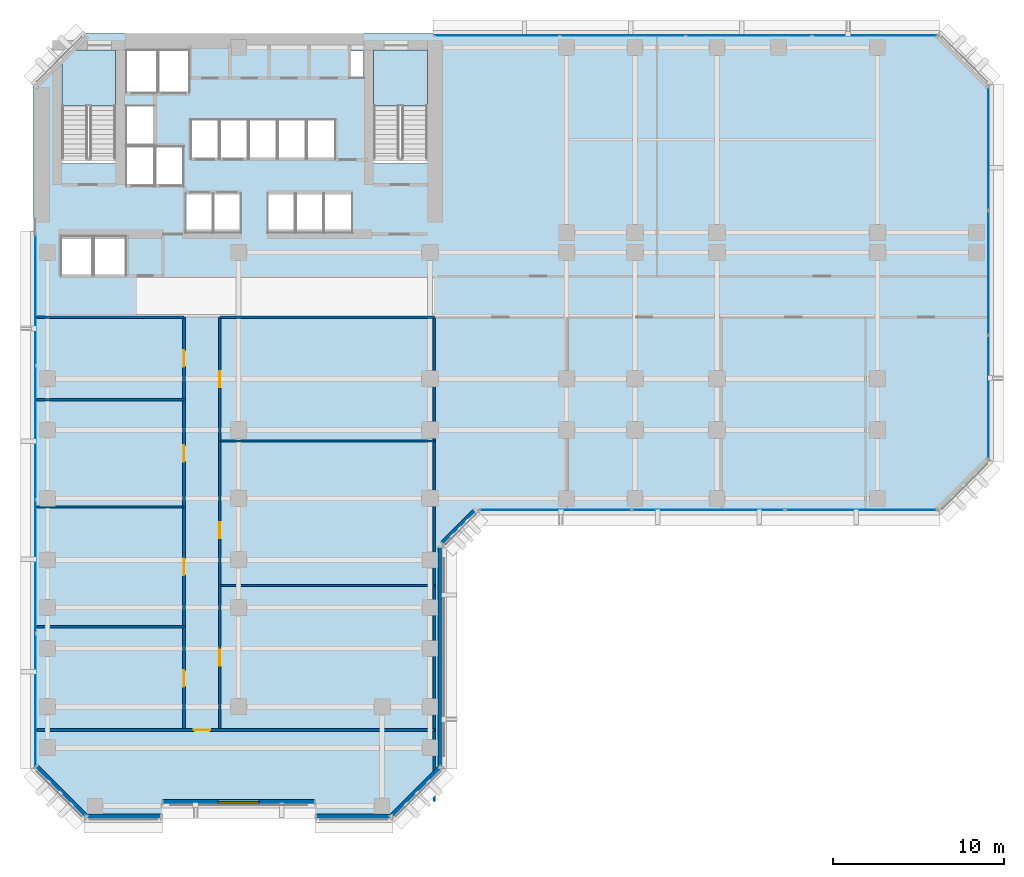
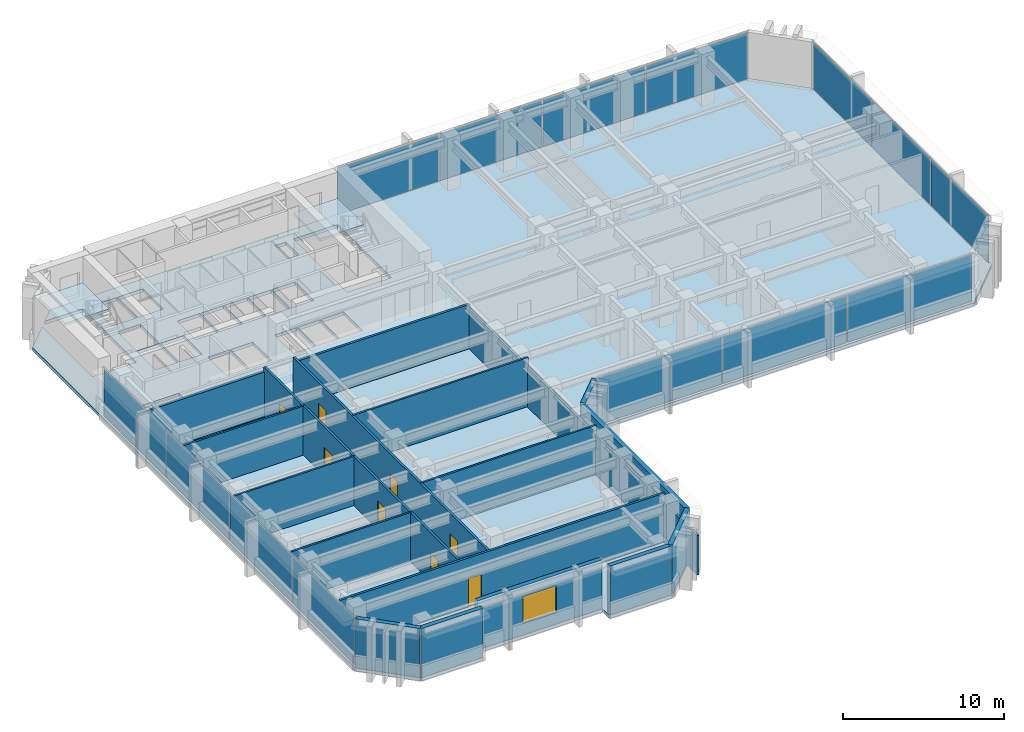
# One storey, part 6 of 14: 18 walls, 14 plates, 8 doors, 3 slabs, 1 window, 9 openings, 6 elements without a shape of their own.
"""IFC4 building model written with IfcOpenShell, lengths in metres."""

from ifc_helpers import new_model, si_unit, direction, frame, frame_2d, origin, origin_2d, place, context, subcontext, project, spatial, polyline, rectangle, outline, extrude, material, layer, layer_set, type_object, element, fill, aggregate, save


model = new_model("IFC4")

# Units and contexts
model_context = context("Model", 3, precision=1e-05, world=origin(), true_north=direction((0.0, 1.0)))
body_context = subcontext(model_context, "Body", "Model", "MODEL_VIEW")
ifc_project = project(units=[si_unit("LENGTHUNIT", "METRE"), si_unit("AREAUNIT", "SQUARE_METRE"), si_unit("VOLUMEUNIT", "CUBIC_METRE"), si_unit("PLANEANGLEUNIT", "RADIAN"), si_unit("MASSUNIT", "GRAM", prefix="KILO")], contexts=[model_context])

# Site, building, storey
site_placement = place(None, origin())
site = spatial("IfcSite", under=ifc_project, at=site_placement, CompositionType="ELEMENT")
building_placement = place(site_placement, origin())
building = spatial("IfcBuilding", under=site, at=building_placement, Name="Kefirva Bronze Tower", CompositionType="ELEMENT")
storey_placement = place(building_placement, frame((0.0, 0.0, 50.159912109375)))
storey = spatial("IfcBuildingStorey", under=building, at=storey_placement, Name="L11", CompositionType="ELEMENT", Elevation=50.159912109375)

# Stair, slab
ifc_material_1 = material(Name="Concrete C40/50", Category="concrete")
stair_type = type_object("IfcStairType", Name="RC Dogleg Protected Stair 24R", PredefinedType="HALF_TURN_STAIR", material=ifc_material_1)
stair_1_placement = place(storey_placement, origin())
stair_1 = element("IfcStair", 1, at=stair_1_placement, inside=storey, type_object=stair_type, Name="L11 Protected Exit Stair 1", PredefinedType="HALF_TURN_STAIR")
ifc_layer_1 = layer(ifc_material_1, 0.199951171875, Name="Concrete C40/50")
ifc_layer_set_1 = layer_set([ifc_layer_1], Name="Concrete C40/50")
slab_type_1 = type_object("IfcSlabType", Name="RC Stair Landing Slab 200mm", PredefinedType="LANDING", material=ifc_layer_set_1)
slab_1_placement = place(storey_placement, frame((0.0, 0.0, 1.780029296875)))
slab_1 = element("IfcSlab", 2, at=slab_1_placement, type_object=slab_type_1, Name="ST-1 landing 1", PredefinedType="LANDING", context=body_context, shape_type="SweptSolid", body=[
    extrude(outline(polyline([(4.800048828125, 41.780029296875), (4.800048828125, 45.050048828125), (1.64990234375, 45.050048828125), (1.64990234375, 41.780029296875), (4.800048828125, 41.780029296875)])), origin(), (0.0, 0.0, 1.0), 0.199951171875),
])
aggregate(stair_1, [slab_1])

stair_2_placement = place(storey_placement, origin())
stair_2 = element("IfcStair", 3, at=stair_2_placement, inside=storey, type_object=stair_type, Name="L11 Protected Exit Stair 2", PredefinedType="HALF_TURN_STAIR")
slab_2_placement = place(storey_placement, frame((0.0, 0.0, 1.780029296875)))
slab_2 = element("IfcSlab", 4, at=slab_2_placement, type_object=slab_type_1, Name="ST-2 landing 1", PredefinedType="LANDING", context=body_context, shape_type="SweptSolid", body=[
    extrude(outline(polyline([(23.050048828125, 41.780029296875), (23.050048828125, 45.050048828125), (19.89990234375, 45.050048828125), (19.89990234375, 41.780029296875), (23.050048828125, 41.780029296875)])), origin(), (0.0, 0.0, 1.0), 0.199951171875),
])
aggregate(stair_2, [slab_2])

# Slab
ifc_layer_2 = layer(ifc_material_1, 0.25, Name="Concrete C40/50")
ifc_layer_set_2 = layer_set([ifc_layer_2], Name="Concrete C40/50")
slab_type_2 = type_object("IfcSlabType", Name="RC Tower Floor Slab 250mm", PredefinedType="FLOOR", material=ifc_layer_set_2)
slab_3_placement = place(storey_placement, frame((0.0, 0.0, -0.25)))
element("IfcSlab", 5, at=slab_3_placement, inside=storey, type_object=slab_type_2, Name="L11 Structural Floor Slab", PredefinedType="FLOOR", context=body_context, shape_type="SweptSolid", body=[
    extrude(outline(polyline([(0.0, 3.0), (0.0, 43.0), (1.64990234375, 44.64990234375), (1.64990234375, 38.39990234375), (4.800048828125, 38.39990234375), (4.800048828125, 45.050048828125), (2.050048828125, 45.050048828125), (3.0, 46.0), (53.0, 46.0), (56.0, 43.0), (56.0, 21.0), (53.0, 18.0), (26.0, 18.0), (24.0, 16.0), (24.0, 3.0), (21.0, 0.0), (16.5, 0.0), (16.5, 0.85009765625), (7.5, 0.85009765625), (7.5, 0.0), (3.0, 0.0), (0.0, 3.0)]), holes=[polyline([(19.89990234375, 38.39990234375), (23.050048828125, 38.39990234375), (23.050048828125, 45.050048828125), (19.89990234375, 45.050048828125), (19.89990234375, 38.39990234375)]), polyline([(18.52001953125, 43.419921875), (19.320068359375, 43.419921875), (19.320068359375, 45.0), (18.52001953125, 45.0), (18.52001953125, 43.419921875)]), polyline([(17.0, 34.35009765625), (18.64990234375, 34.35009765625), (18.64990234375, 36.64990234375), (17.0, 36.64990234375), (17.0, 34.35009765625)]), polyline([(17.64990234375, 38.679931640625), (17.64990234375, 40.97998046875), (16.0, 40.97998046875), (16.0, 38.679931640625), (17.64990234375, 38.679931640625)]), polyline([(16.949951171875, 34.35009765625), (16.949951171875, 36.64990234375), (15.35009765625, 36.64990234375), (15.35009765625, 34.35009765625), (16.949951171875, 34.35009765625)]), polyline([(15.929931640625, 38.679931640625), (15.929931640625, 40.97998046875), (14.300048828125, 40.97998046875), (14.300048828125, 38.679931640625), (15.929931640625, 38.679931640625)]), polyline([(15.300048828125, 34.35009765625), (15.300048828125, 36.64990234375), (13.699951171875, 36.64990234375), (13.699951171875, 34.35009765625), (15.300048828125, 34.35009765625)]), polyline([(14.22998046875, 38.679931640625), (14.22998046875, 40.97998046875), (12.60009765625, 40.97998046875), (12.60009765625, 38.679931640625), (14.22998046875, 38.679931640625)]), polyline([(10.89990234375, 38.679931640625), (12.530029296875, 38.679931640625), (12.530029296875, 40.97998046875), (10.89990234375, 40.97998046875), (10.89990234375, 38.679931640625)]), polyline([(12.139892578125, 34.35009765625), (12.139892578125, 36.64990234375), (10.5400390625, 36.64990234375), (10.5400390625, 34.35009765625), (12.139892578125, 34.35009765625)]), polyline([(10.830078125, 38.679931640625), (10.830078125, 40.97998046875), (9.199951171875, 40.97998046875), (9.199951171875, 38.679931640625), (10.830078125, 38.679931640625)]), polyline([(10.5, 34.35009765625), (10.5, 36.64990234375), (8.89990234375, 36.64990234375), (8.89990234375, 34.35009765625), (10.5, 34.35009765625)]), polyline([(7.300048828125, 42.550048828125), (9.1201171875, 42.550048828125), (9.1201171875, 45.050048828125), (7.300048828125, 45.050048828125), (7.300048828125, 42.550048828125)]), polyline([(7.139892578125, 37.10009765625), (8.780029296875, 37.10009765625), (8.780029296875, 39.39990234375), (7.139892578125, 39.39990234375), (7.139892578125, 37.10009765625)]), polyline([(5.419921875, 42.550048828125), (7.239990234375, 42.550048828125), (7.239990234375, 45.050048828125), (5.419921875, 45.050048828125), (5.419921875, 42.550048828125)]), polyline([(7.06005859375, 39.47998046875), (7.06005859375, 41.780029296875), (5.419921875, 41.780029296875), (5.419921875, 39.47998046875), (7.06005859375, 39.47998046875)]), polyline([(5.419921875, 37.10009765625), (7.06005859375, 37.10009765625), (7.06005859375, 39.39990234375), (5.419921875, 39.39990234375), (5.419921875, 37.10009765625)]), polyline([(5.39990234375, 31.85009765625), (5.39990234375, 34.14990234375), (3.550048828125, 34.14990234375), (3.550048828125, 31.85009765625), (5.39990234375, 31.85009765625)]), polyline([(3.449951171875, 31.85009765625), (3.449951171875, 34.14990234375), (1.60009765625, 34.14990234375), (1.60009765625, 31.85009765625), (3.449951171875, 31.85009765625)])]), origin(), (0.0, 0.0, 1.0), 0.25),
])

# Curtain wall, plates
ifc_material_2 = material(Name="Bronze anodised aluminium", Category="aluminium")
ifc_layer_3 = layer(ifc_material_2, 0.199951171875, Name="Bronze anodised aluminium")
ifc_layer_set_3 = layer_set([ifc_layer_3], Name="Bronze anodised aluminium")
curtain_wall_type = type_object("IfcCurtainWallType", Name="Unitised Bronze Ribbon Curtain Wall Zone 1", PredefinedType="USERDEFINED", material=ifc_layer_set_3)
curtain_wall_1_placement = place(storey_placement, origin())
curtain_wall_1 = element("IfcCurtainWall", 6, at=curtain_wall_1_placement, inside=storey, type_object=curtain_wall_type, Name="L11 Curtain Wall 1", ObjectType="UNITISED CURTAIN WALL", PredefinedType="USERDEFINED")
ifc_material_3 = material(Name="Laminated low-E double glazing", Category="glass")
ifc_layer_4 = layer(ifc_material_3, 0.031982421875, Name="Laminated low-E double glazing")
ifc_layer_set_4 = layer_set([ifc_layer_4], Name="Laminated low-E double glazing")
plate_type = type_object("IfcPlateType", Name="Solar-Control Low-E Vision Panel 32mm", PredefinedType="CURTAIN_PANEL", material=ifc_layer_set_4)
plate_1_placement = place(storey_placement, frame((30.555419921875, 18.1201171875, 0.074951171875), z_axis=(0.0, 0.0, 1.0), x_axis=(1.0, 0.0, 0.0)))
plate_1 = element("IfcPlate", 7, at=plate_1_placement, type_object=plate_type, Name="CW-01 panel 1.1", PredefinedType="CURTAIN_PANEL", context=body_context, shape_type="SweptSolid", body=[
    extrude(rectangle(XDim=8.850830078125, YDim=0.031982421875, at=origin_2d()), origin(), (0.0, 0.0, 1.0), 3.56005859375),
])
plate_2_placement = place(storey_placement, frame((39.5, 18.1201171875, 0.074951171875), z_axis=(0.0, 0.0, 1.0), x_axis=(1.0, 0.0, 0.0)))
plate_2 = element("IfcPlate", 8, at=plate_2_placement, type_object=plate_type, Name="CW-01 panel 2.1", PredefinedType="CURTAIN_PANEL", context=body_context, shape_type="SweptSolid", body=[
    extrude(rectangle(XDim=8.888427734375, YDim=0.031982421875, at=origin_2d()), origin(), (0.0, 0.0, 1.0), 3.56005859375),
])
plate_3_placement = place(storey_placement, frame((48.444580078125, 18.1201171875, 0.074951171875), z_axis=(0.0, 0.0, 1.0), x_axis=(1.0, 0.0, 0.0)))
plate_3 = element("IfcPlate", 9, at=plate_3_placement, type_object=plate_type, Name="CW-01 panel 3.1", PredefinedType="CURTAIN_PANEL", context=body_context, shape_type="SweptSolid", body=[
    extrude(rectangle(XDim=8.850830078125, YDim=0.031982421875, at=origin_2d()), origin(), (0.0, 0.0, 1.0), 3.56005859375),
])
aggregate(curtain_wall_1, [plate_1, plate_2, plate_3])

curtain_wall_2_placement = place(storey_placement, origin())
curtain_wall_2 = element("IfcCurtainWall", 10, at=curtain_wall_2_placement, inside=storey, type_object=curtain_wall_type, Name="L11 Curtain Wall 2", ObjectType="UNITISED CURTAIN WALL", PredefinedType="USERDEFINED")
plate_4_placement = place(storey_placement, frame((55.8798828125, 24.72216796875, 0.074951171875), z_axis=(0.0, 0.0, 1.0), x_axis=(0.0, 1.0, 0.0)))
plate_4 = element("IfcPlate", 11, at=plate_4_placement, type_object=plate_type, Name="CW-01 panel 1.1", PredefinedType="CURTAIN_PANEL", context=body_context, shape_type="SweptSolid", body=[
    extrude(rectangle(XDim=7.18408203125, YDim=0.031982421875, at=origin_2d()), origin(), (0.0, 0.0, 1.0), 3.56005859375),
])
plate_5_placement = place(storey_placement, frame((55.8798828125, 32.0, 0.074951171875), z_axis=(0.0, 0.0, 1.0), x_axis=(0.0, 1.0, 0.0)))
plate_5 = element("IfcPlate", 12, at=plate_5_placement, type_object=plate_type, Name="CW-01 panel 2.1", PredefinedType="CURTAIN_PANEL", context=body_context, shape_type="SweptSolid", body=[
    extrude(rectangle(XDim=7.2216796875, YDim=0.031982421875, at=origin_2d()), origin(), (0.0, 0.0, 1.0), 3.56005859375),
])
plate_6_placement = place(storey_placement, frame((55.8798828125, 39.27783203125, 0.074951171875), z_axis=(0.0, 0.0, 1.0), x_axis=(0.0, 1.0, 0.0)))
plate_6 = element("IfcPlate", 13, at=plate_6_placement, type_object=plate_type, Name="CW-01 panel 3.1", PredefinedType="CURTAIN_PANEL", context=body_context, shape_type="SweptSolid", body=[
    extrude(rectangle(XDim=7.18408203125, YDim=0.031982421875, at=origin_2d()), origin(), (0.0, 0.0, 1.0), 3.56005859375),
])
aggregate(curtain_wall_2, [plate_4, plate_5, plate_6])

curtain_wall_3_placement = place(storey_placement, origin())
curtain_wall_3 = element("IfcCurtainWall", 14, at=curtain_wall_3_placement, inside=storey, type_object=curtain_wall_type, Name="L11 Curtain Wall 3", ObjectType="UNITISED CURTAIN WALL", PredefinedType="USERDEFINED")
plate_7_placement = place(storey_placement, frame((49.233642578125, 45.8798828125, 0.074951171875), z_axis=(0.0, 0.0, 1.0), x_axis=(-1.0, 0.0, 0.0)))
plate_7 = element("IfcPlate", 15, at=plate_7_placement, type_object=plate_type, Name="CW-01 panel 1.1", PredefinedType="CURTAIN_PANEL", context=body_context, shape_type="SweptSolid", body=[
    extrude(rectangle(XDim=7.2724609375, YDim=0.031982421875, at=origin_2d()), origin(), (0.0, 0.0, 1.0), 3.56005859375),
])
plate_8_placement = place(storey_placement, frame((41.867431640625, 45.8798828125, 0.074951171875), z_axis=(0.0, 0.0, 1.0), x_axis=(-1.0, 0.0, 0.0)))
plate_8 = element("IfcPlate", 16, at=plate_8_placement, type_object=plate_type, Name="CW-01 panel 2.1", PredefinedType="CURTAIN_PANEL", context=body_context, shape_type="SweptSolid", body=[
    extrude(rectangle(XDim=7.31005859375, YDim=0.031982421875, at=origin_2d()), origin(), (0.0, 0.0, 1.0), 3.56005859375),
])
plate_9_placement = place(storey_placement, frame((34.482421875, 45.8798828125, 0.074951171875), z_axis=(0.0, 0.0, 1.0), x_axis=(-1.0, 0.0, 0.0)))
plate_9 = element("IfcPlate", 17, at=plate_9_placement, type_object=plate_type, Name="CW-01 panel 3.1", PredefinedType="CURTAIN_PANEL", context=body_context, shape_type="SweptSolid", body=[
    extrude(rectangle(XDim=7.31005859375, YDim=0.031982421875, at=origin_2d()), origin(), (0.0, 0.0, 1.0), 3.56005859375),
])
plate_10_placement = place(storey_placement, frame((27.1162109375, 45.8798828125, 0.074951171875), z_axis=(0.0, 0.0, 1.0), x_axis=(-1.0, 0.0, 0.0)))
plate_10 = element("IfcPlate", 18, at=plate_10_placement, type_object=plate_type, Name="CW-01 panel 4.1", PredefinedType="CURTAIN_PANEL", context=body_context, shape_type="SweptSolid", body=[
    extrude(rectangle(XDim=7.2724609375, YDim=0.031982421875, at=origin_2d()), origin(), (0.0, 0.0, 1.0), 3.56005859375),
])
aggregate(curtain_wall_3, [plate_7, plate_8, plate_9, plate_10])

curtain_wall_4_placement = place(storey_placement, origin())
curtain_wall_4 = element("IfcCurtainWall", 19, at=curtain_wall_4_placement, inside=storey, type_object=curtain_wall_type, Name="L11 Curtain Wall 4", ObjectType="UNITISED CURTAIN WALL", PredefinedType="USERDEFINED")
plate_11_placement = place(storey_placement, frame((0.1201171875, 30.458740234375, 0.074951171875), z_axis=(0.0, 0.0, 1.0), x_axis=(0.0, -1.0, 0.0)))
plate_11 = element("IfcPlate", 20, at=plate_11_placement, type_object=plate_type, Name="CW-01 panel 1.1", PredefinedType="CURTAIN_PANEL", context=body_context, shape_type="SweptSolid", body=[
    extrude(rectangle(XDim=7.722412109375, YDim=0.031982421875, at=origin_2d()), origin(), (0.0, 0.0, 1.0), 3.56005859375),
])
plate_12_placement = place(storey_placement, frame((0.1201171875, 22.642578125, 0.074951171875), z_axis=(0.0, 0.0, 1.0), x_axis=(0.0, -1.0, 0.0)))
plate_12 = element("IfcPlate", 21, at=plate_12_placement, type_object=plate_type, Name="CW-01 panel 2.1", PredefinedType="CURTAIN_PANEL", context=body_context, shape_type="SweptSolid", body=[
    extrude(rectangle(XDim=7.760009765625, YDim=0.031982421875, at=origin_2d()), origin(), (0.0, 0.0, 1.0), 3.56005859375),
])
plate_13_placement = place(storey_placement, frame((0.1201171875, 14.8076171875, 0.074951171875), z_axis=(0.0, 0.0, 1.0), x_axis=(0.0, -1.0, 0.0)))
plate_13 = element("IfcPlate", 22, at=plate_13_placement, type_object=plate_type, Name="CW-01 panel 3.1", PredefinedType="CURTAIN_PANEL", context=body_context, shape_type="SweptSolid", body=[
    extrude(rectangle(XDim=7.760009765625, YDim=0.031982421875, at=origin_2d()), origin(), (0.0, 0.0, 1.0), 3.56005859375),
])
plate_14_placement = place(storey_placement, frame((0.1201171875, 6.9912109375, 0.074951171875), z_axis=(0.0, 0.0, 1.0), x_axis=(0.0, -1.0, 0.0)))
plate_14 = element("IfcPlate", 23, at=plate_14_placement, type_object=plate_type, Name="CW-01 panel 4.1", PredefinedType="CURTAIN_PANEL", context=body_context, shape_type="SweptSolid", body=[
    extrude(rectangle(XDim=7.722412109375, YDim=0.031982421875, at=origin_2d()), origin(), (0.0, 0.0, 1.0), 3.56005859375),
])
aggregate(curtain_wall_4, [plate_11, plate_12, plate_13, plate_14])

# Walls
ifc_material_4 = material(Name="Gypsum acoustic partition")
ifc_layer_5 = layer(ifc_material_4, 0.1298828125, Name="Gypsum acoustic partition")
ifc_layer_set_5 = layer_set([ifc_layer_5], Name="Gypsum acoustic partition")
wall_type_1 = type_object("IfcWallType", Name="Acoustic Office Partition 130mm", PredefinedType="PARTITIONING", material=ifc_layer_set_5)
for number, where, z_axis, x_axis, name in (
    (24, (0.18994140625, 11.280029296875, 0.0), (0.0, 0.0, 1.0), (1.0, 0.0, 0.0), "L11 Partition W-L11-SWD1"),
    (25, (0.18994140625, 18.286376953125, 0.0), (0.0, 0.0, 1.0), (1.0, 0.0, 0.0), "L11 Partition W-L11-SWD2"),
    (26, (0.18994140625, 24.568115234375, 0.0), (0.0, 0.0, 1.0), (1.0, 0.0, 0.0), "L11 Partition W-L11-SWD3"),
):
    element("IfcWall", number, at=place(storey_placement, frame(where, z_axis=z_axis, x_axis=x_axis)), inside=storey, type_object=wall_type_1, Name=name, PredefinedType="PARTITIONING", context=body_context, shape_type="SweptSolid", body=[
        extrude(rectangle(XDim=8.610107421875, YDim=0.1298828125, at=frame_2d((4.30517578125, 0.0))), origin(), (0.0, 0.0, 1.0), 3.710205078125),
    ])
for number, where, z_axis, x_axis, name in (
    (27, (10.89990234375, 13.696044921875, 0.0), (0.0, 0.0, 1.0), (1.0, 0.0, 0.0), "L11 Partition W-L11-SED1"),
    (28, (10.89990234375, 22.152099609375, 0.0), (0.0, 0.0, 1.0), (1.0, 0.0, 0.0), "L11 Partition W-L11-SED2"),
):
    element("IfcWall", number, at=place(storey_placement, frame(where, z_axis=z_axis, x_axis=x_axis)), inside=storey, type_object=wall_type_1, Name=name, PredefinedType="PARTITIONING", context=body_context, shape_type="SweptSolid", body=[
        extrude(rectangle(XDim=12.550048828125, YDim=0.1298828125, at=frame_2d((6.27490234375, 0.0))), origin(), (0.0, 0.0, 1.0), 3.710205078125),
    ])
ifc_material_5 = material(Name="Precast concrete C40/50", Category="concrete")
ifc_layer_6 = layer(ifc_material_5, 0.320068359375, Name="Precast concrete C40/50")
ifc_layer_set_6 = layer_set([ifc_layer_6], Name="Precast concrete C40/50")
wall_type_2 = type_object("IfcWallType", Name="Precast Insulated Exterior Wall 320mm", PredefinedType="SOLIDWALL", material=ifc_layer_set_6)
wall_1_placement = place(storey_placement, frame((3.054931640625, 0.159912109375, 0.0), z_axis=(0.0, 0.0, 1.0), x_axis=(1.0, 0.0, 0.0)))
element("IfcWall", 29, at=wall_1_placement, inside=storey, type_object=wall_type_2, Name="L11 Exterior Facade Wall 1", PredefinedType="SOLIDWALL", context=body_context, shape_type="SweptSolid", body=[
    extrude(rectangle(XDim=4.39013671875, YDim=0.320068359375, at=frame_2d((2.195068359375, 0.0))), origin(), (0.0, 0.0, 1.0), 3.710205078125),
])

# Wall, opening, window
wall_2_placement = place(storey_placement, frame((7.554931640625, 1.010009765625, 0.0), z_axis=(0.0, 0.0, 1.0), x_axis=(1.0, 0.0, 0.0)))
wall_2 = element("IfcWall", 30, at=wall_2_placement, inside=storey, type_object=wall_type_2, Name="L11 Exterior Facade Wall 2", PredefinedType="SOLIDWALL", context=body_context, shape_type="SweptSolid", body=[
    extrude(rectangle(XDim=8.89013671875, YDim=0.320068359375, at=frame_2d((4.445068359375, 0.0))), origin(), (0.0, 0.0, 1.0), 3.710205078125),
])
opening_1_placement = place(wall_2_placement, frame((3.2451171875, 0.0, 0.85009765625)))
opening_1 = element("IfcOpeningElement", 31, at=opening_1_placement, cuts=wall_2, Name="Opening WN-01", PredefinedType="OPENING", context=body_context, shape_type="SweptSolid", body=[
    extrude(rectangle(XDim=2.39990234375, YDim=2.050048828125, at=frame_2d((1.199951171875, 1.02490234375))), frame((0.0, 0.169921875, 0.0), z_axis=(0.0, -1.0, 0.0), x_axis=(1.0, 0.0, 0.0)), (0.0, 0.0, 1.0), 0.340087890625),
])
window_type = type_object("IfcWindowType", Name="Streamline Ribbon Window 2400x2050", PartitioningType="SINGLE_PANEL", PredefinedType="WINDOW", material=ifc_material_3)
window_placement = place(opening_1_placement, origin())
window = element("IfcWindow", 32, at=window_placement, inside=storey, type_object=window_type, Name="L11 Ribbon Window 2", OverallHeight=2.050048828125, OverallWidth=2.39990234375, PartitioningType="SINGLE_PANEL", PredefinedType="WINDOW", context=body_context, shape_type="SweptSolid", body=[
    extrude(rectangle(XDim=2.39990234375, YDim=2.050048828125, at=frame_2d((1.199951171875, 1.02490234375))), frame((0.0, 0.030029296875, 0.0), z_axis=(0.0, -1.0, 0.0), x_axis=(1.0, 0.0, 0.0)), (0.0, 0.0, 1.0), 0.06005859375),
])
fill(opening_1, window)

# Walls
wall_3_placement = place(storey_placement, frame((16.554931640625, 0.159912109375, 0.0), z_axis=(0.0, 0.0, 1.0), x_axis=(1.0, 0.0, 0.0)))
element("IfcWall", 33, at=wall_3_placement, inside=storey, type_object=wall_type_2, Name="L11 Exterior Facade Wall 3", PredefinedType="SOLIDWALL", context=body_context, shape_type="SweptSolid", body=[
    extrude(rectangle(XDim=4.39013671875, YDim=0.320068359375, at=frame_2d((2.195068359375, 0.0))), origin(), (0.0, 0.0, 1.0), 3.710205078125),
])
wall_4_placement = place(storey_placement, frame((20.92578125, 0.152099609375, 0.0), z_axis=(0.0, 0.0, 1.0), x_axis=(0.707106781187, 0.707106781187, 0.0)))
element("IfcWall", 34, at=wall_4_placement, inside=storey, type_object=wall_type_2, Name="L11 Exterior Facade Wall 4", PredefinedType="SOLIDWALL", context=body_context, shape_type="SweptSolid", body=[
    extrude(rectangle(XDim=4.132568359375, YDim=0.320068359375, at=frame_2d((2.06640625, 0.0))), origin(), (0.0, 0.0, 1.0), 3.710205078125),
])
wall_5_placement = place(storey_placement, frame((23.840087890625, 3.054931640625, 0.0), z_axis=(0.0, 0.0, 1.0), x_axis=(0.0, 1.0, 0.0)))
element("IfcWall", 35, at=wall_5_placement, inside=storey, type_object=wall_type_2, Name="L11 Exterior Facade Wall 5", PredefinedType="SOLIDWALL", context=body_context, shape_type="SweptSolid", body=[
    extrude(rectangle(XDim=12.89013671875, YDim=0.320068359375, at=frame_2d((6.445068359375, 0.0))), origin(), (0.0, 0.0, 1.0), 3.710205078125),
])
wall_6_placement = place(storey_placement, frame((23.92578125, 16.152099609375, 0.0), z_axis=(0.0, 0.0, 1.0), x_axis=(0.707106781187, 0.707106781187, 0.0)))
element("IfcWall", 36, at=wall_6_placement, inside=storey, type_object=wall_type_2, Name="L11 Exterior Facade Wall 6", PredefinedType="SOLIDWALL", context=body_context, shape_type="SweptSolid", body=[
    extrude(rectangle(XDim=2.71826171875, YDim=0.320068359375, at=frame_2d((1.359130859375, 0.0))), origin(), (0.0, 0.0, 1.0), 3.710205078125),
])
wall_7_placement = place(storey_placement, frame((0.152099609375, 3.07421875, 0.0), z_axis=(0.0, 0.0, 1.0), x_axis=(0.707106781187, -0.707106781187, 0.0)))
element("IfcWall", 37, at=wall_7_placement, inside=storey, type_object=wall_type_2, Name="L11 Exterior Facade Wall 10", PredefinedType="SOLIDWALL", context=body_context, shape_type="SweptSolid", body=[
    extrude(rectangle(XDim=4.132568359375, YDim=0.320068359375, at=frame_2d((2.06640625, 0.0))), origin(), (0.0, 0.0, 1.0), 3.710205078125),
])

# Wall, openings, doors
ifc_layer_7 = layer(ifc_material_4, 0.159912109375, Name="Gypsum acoustic partition")
ifc_layer_set_7 = layer_set([ifc_layer_7], Name="Gypsum acoustic partition")
wall_type_3 = type_object("IfcWallType", Name="Protected Corridor Partition 160mm", PredefinedType="PARTITIONING", material=ifc_layer_set_7)
wall_8_placement = place(storey_placement, frame((8.800048828125, 5.239990234375, 0.0), z_axis=(0.0, 0.0, 1.0), x_axis=(0.0, 1.0, 0.0)))
wall_8 = element("IfcWall", 38, at=wall_8_placement, inside=storey, type_object=wall_type_3, Name="L11 Partition W-L11-SWCORW", PredefinedType="PARTITIONING", context=body_context, shape_type="SweptSolid", body=[
    extrude(rectangle(XDim=24.159912109375, YDim=0.159912109375, at=frame_2d((12.080078125, 0.0))), origin(), (0.0, 0.0, 1.0), 3.710205078125),
])
opening_2_placement = place(wall_8_placement, frame((3.494873046875, 0.0, 0.0), z_axis=(0.0, 0.0, 1.0), x_axis=(-1.0, 0.0, 0.0)))
opening_2 = element("IfcOpeningElement", 39, at=opening_2_placement, cuts=wall_8, Name="Opening L11-D-SW1", PredefinedType="OPENING", context=body_context, shape_type="SweptSolid", body=[
    extrude(rectangle(XDim=0.949951171875, YDim=2.14990234375, at=frame_2d((0.47509765625, 1.074951171875))), frame((0.0, 0.08984375, 0.0), z_axis=(0.0, -1.0, 0.0), x_axis=(1.0, 0.0, 0.0)), (0.0, 0.0, 1.0), 0.179931640625),
])
opening_3_placement = place(wall_8_placement, frame((10.01806640625, 0.0, 0.0), z_axis=(0.0, 0.0, 1.0), x_axis=(-1.0, 0.0, 0.0)))
opening_3 = element("IfcOpeningElement", 40, at=opening_3_placement, cuts=wall_8, Name="Opening L11-D-SW2", PredefinedType="OPENING", context=body_context, shape_type="SweptSolid", body=[
    extrude(rectangle(XDim=0.949951171875, YDim=2.14990234375, at=frame_2d((0.47509765625, 1.074951171875))), frame((0.0, 0.08984375, 0.0), z_axis=(0.0, -1.0, 0.0), x_axis=(1.0, 0.0, 0.0)), (0.0, 0.0, 1.0), 0.179931640625),
])
opening_4_placement = place(wall_8_placement, frame((16.662109375, 0.0, 0.0), z_axis=(0.0, 0.0, 1.0), x_axis=(-1.0, 0.0, 0.0)))
opening_4 = element("IfcOpeningElement", 41, at=opening_4_placement, cuts=wall_8, Name="Opening L11-D-SW3", PredefinedType="OPENING", context=body_context, shape_type="SweptSolid", body=[
    extrude(rectangle(XDim=0.949951171875, YDim=2.14990234375, at=frame_2d((0.47509765625, 1.074951171875))), frame((0.0, 0.08984375, 0.0), z_axis=(0.0, -1.0, 0.0), x_axis=(1.0, 0.0, 0.0)), (0.0, 0.0, 1.0), 0.179931640625),
])
opening_5_placement = place(wall_8_placement, frame((22.218994140625, 0.0, 0.0), z_axis=(0.0, 0.0, 1.0), x_axis=(-1.0, 0.0, 0.0)))
opening_5 = element("IfcOpeningElement", 42, at=opening_5_placement, cuts=wall_8, Name="Opening L11-D-SW4", PredefinedType="OPENING", context=body_context, shape_type="SweptSolid", body=[
    extrude(rectangle(XDim=0.949951171875, YDim=2.14990234375, at=frame_2d((0.47509765625, 1.074951171875))), frame((0.0, 0.08984375, 0.0), z_axis=(0.0, -1.0, 0.0), x_axis=(1.0, 0.0, 0.0)), (0.0, 0.0, 1.0), 0.179931640625),
])
ifc_material_6 = material(Name="Acoustic hardwood oak", Category="wood")
door_type = type_object("IfcDoorType", Name="Office & Meeting Room Door 950x2150", OperationType="NOTDEFINED", PredefinedType="DOOR", material=ifc_material_6)
door_1_placement = place(opening_2_placement, origin())
door_1 = element("IfcDoor", 43, at=door_1_placement, inside=storey, type_object=door_type, Name="Door L11-D-SW1", OperationType="SINGLE_SWING_RIGHT", OverallHeight=2.14990234375, OverallWidth=0.949951171875, PredefinedType="DOOR", context=body_context, shape_type="SweptSolid", body=[
    extrude(rectangle(XDim=0.949951171875, YDim=2.14990234375, at=frame_2d((0.47509765625, 1.074951171875))), frame((0.0, 0.02490234375, 0.0), z_axis=(0.0, -1.0, 0.0), x_axis=(1.0, 0.0, 0.0)), (0.0, 0.0, 1.0), 0.050048828125),
])
fill(opening_2, door_1)
door_2_placement = place(opening_3_placement, origin())
door_2 = element("IfcDoor", 44, at=door_2_placement, inside=storey, type_object=door_type, Name="Door L11-D-SW2", OperationType="SINGLE_SWING_LEFT", OverallHeight=2.14990234375, OverallWidth=0.949951171875, PredefinedType="DOOR", context=body_context, shape_type="SweptSolid", body=[
    extrude(rectangle(XDim=0.949951171875, YDim=2.14990234375, at=frame_2d((0.47509765625, 1.074951171875))), frame((0.0, 0.02490234375, 0.0), z_axis=(0.0, -1.0, 0.0), x_axis=(1.0, 0.0, 0.0)), (0.0, 0.0, 1.0), 0.050048828125),
])
fill(opening_3, door_2)
door_3_placement = place(opening_4_placement, origin())
door_3 = element("IfcDoor", 45, at=door_3_placement, inside=storey, type_object=door_type, Name="Door L11-D-SW3", OperationType="SINGLE_SWING_RIGHT", OverallHeight=2.14990234375, OverallWidth=0.949951171875, PredefinedType="DOOR", context=body_context, shape_type="SweptSolid", body=[
    extrude(rectangle(XDim=0.949951171875, YDim=2.14990234375, at=frame_2d((0.47509765625, 1.074951171875))), frame((0.0, 0.02490234375, 0.0), z_axis=(0.0, -1.0, 0.0), x_axis=(1.0, 0.0, 0.0)), (0.0, 0.0, 1.0), 0.050048828125),
])
fill(opening_4, door_3)
door_4_placement = place(opening_5_placement, origin())
door_4 = element("IfcDoor", 46, at=door_4_placement, inside=storey, type_object=door_type, Name="Door L11-D-SW4", OperationType="SINGLE_SWING_LEFT", OverallHeight=2.14990234375, OverallWidth=0.949951171875, PredefinedType="DOOR", context=body_context, shape_type="SweptSolid", body=[
    extrude(rectangle(XDim=0.949951171875, YDim=2.14990234375, at=frame_2d((0.47509765625, 1.074951171875))), frame((0.0, 0.02490234375, 0.0), z_axis=(0.0, -1.0, 0.0), x_axis=(1.0, 0.0, 0.0)), (0.0, 0.0, 1.0), 0.050048828125),
])
fill(opening_5, door_4)

wall_9_placement = place(storey_placement, frame((10.89990234375, 5.239990234375, 0.0), z_axis=(0.0, 0.0, 1.0), x_axis=(0.0, 1.0, 0.0)))
wall_9 = element("IfcWall", 47, at=wall_9_placement, inside=storey, type_object=wall_type_3, Name="L11 Partition W-L11-SECORE", PredefinedType="PARTITIONING", context=body_context, shape_type="SweptSolid", body=[
    extrude(rectangle(XDim=24.159912109375, YDim=0.159912109375, at=frame_2d((12.080078125, 0.0))), origin(), (0.0, 0.0, 1.0), 3.710205078125),
])
opening_6_placement = place(wall_9_placement, frame((3.7529296875, 0.0, 0.0)))
opening_6 = element("IfcOpeningElement", 48, at=opening_6_placement, cuts=wall_9, Name="Opening L11-D-SE1", PredefinedType="OPENING", context=body_context, shape_type="SweptSolid", body=[
    extrude(rectangle(XDim=0.949951171875, YDim=2.14990234375, at=frame_2d((0.47509765625, 1.074951171875))), frame((0.0, 0.08984375, 0.0), z_axis=(0.0, -1.0, 0.0), x_axis=(1.0, 0.0, 0.0)), (0.0, 0.0, 1.0), 0.179931640625),
])
opening_7_placement = place(wall_9_placement, frame((11.208984375, 0.0, 0.0)))
opening_7 = element("IfcOpeningElement", 49, at=opening_7_placement, cuts=wall_9, Name="Opening L11-D-SE2", PredefinedType="OPENING", context=body_context, shape_type="SweptSolid", body=[
    extrude(rectangle(XDim=0.949951171875, YDim=2.14990234375, at=frame_2d((0.47509765625, 1.074951171875))), frame((0.0, 0.08984375, 0.0), z_axis=(0.0, -1.0, 0.0), x_axis=(1.0, 0.0, 0.0)), (0.0, 0.0, 1.0), 0.179931640625),
])
opening_8_placement = place(wall_9_placement, frame((20.06103515625, 0.0, 0.0)))
opening_8 = element("IfcOpeningElement", 50, at=opening_8_placement, cuts=wall_9, Name="Opening L11-D-SE3", PredefinedType="OPENING", context=body_context, shape_type="SweptSolid", body=[
    extrude(rectangle(XDim=0.949951171875, YDim=2.14990234375, at=frame_2d((0.47509765625, 1.074951171875))), frame((0.0, 0.08984375, 0.0), z_axis=(0.0, -1.0, 0.0), x_axis=(1.0, 0.0, 0.0)), (0.0, 0.0, 1.0), 0.179931640625),
])
door_5_placement = place(opening_6_placement, origin())
door_5 = element("IfcDoor", 51, at=door_5_placement, inside=storey, type_object=door_type, Name="Door L11-D-SE1", OperationType="SINGLE_SWING_RIGHT", OverallHeight=2.14990234375, OverallWidth=0.949951171875, PredefinedType="DOOR", context=body_context, shape_type="SweptSolid", body=[
    extrude(rectangle(XDim=0.949951171875, YDim=2.14990234375, at=frame_2d((0.47509765625, 1.074951171875))), frame((0.0, 0.02490234375, 0.0), z_axis=(0.0, -1.0, 0.0), x_axis=(1.0, 0.0, 0.0)), (0.0, 0.0, 1.0), 0.050048828125),
])
fill(opening_6, door_5)
door_6_placement = place(opening_7_placement, origin())
door_6 = element("IfcDoor", 52, at=door_6_placement, inside=storey, type_object=door_type, Name="Door L11-D-SE2", OperationType="SINGLE_SWING_LEFT", OverallHeight=2.14990234375, OverallWidth=0.949951171875, PredefinedType="DOOR", context=body_context, shape_type="SweptSolid", body=[
    extrude(rectangle(XDim=0.949951171875, YDim=2.14990234375, at=frame_2d((0.47509765625, 1.074951171875))), frame((0.0, 0.02490234375, 0.0), z_axis=(0.0, -1.0, 0.0), x_axis=(1.0, 0.0, 0.0)), (0.0, 0.0, 1.0), 0.050048828125),
])
fill(opening_7, door_6)
door_7_placement = place(opening_8_placement, origin())
door_7 = element("IfcDoor", 53, at=door_7_placement, inside=storey, type_object=door_type, Name="Door L11-D-SE3", OperationType="SINGLE_SWING_RIGHT", OverallHeight=2.14990234375, OverallWidth=0.949951171875, PredefinedType="DOOR", context=body_context, shape_type="SweptSolid", body=[
    extrude(rectangle(XDim=0.949951171875, YDim=2.14990234375, at=frame_2d((0.47509765625, 1.074951171875))), frame((0.0, 0.02490234375, 0.0), z_axis=(0.0, -1.0, 0.0), x_axis=(1.0, 0.0, 0.0)), (0.0, 0.0, 1.0), 0.050048828125),
])
fill(opening_8, door_7)

# Wall, opening, door
wall_10_placement = place(storey_placement, frame((0.18994140625, 5.239990234375, 0.0), z_axis=(0.0, 0.0, 1.0), x_axis=(1.0, 0.0, 0.0)))
wall_10 = element("IfcWall", 54, at=wall_10_placement, inside=storey, type_object=wall_type_3, Name="L11 Partition W-L11-SBEND", PredefinedType="PARTITIONING", context=body_context, shape_type="SweptSolid", body=[
    extrude(rectangle(XDim=23.260009765625, YDim=0.159912109375, at=frame_2d((11.6298828125, 0.0))), origin(), (0.0, 0.0, 1.0), 3.710205078125),
])
opening_9_placement = place(wall_10_placement, frame((9.18994140625, 0.0, 0.0)))
opening_9 = element("IfcOpeningElement", 55, at=opening_9_placement, cuts=wall_10, Name="Opening L11-D-SEND1", PredefinedType="OPENING", context=body_context, shape_type="SweptSolid", body=[
    extrude(rectangle(XDim=0.949951171875, YDim=2.14990234375, at=frame_2d((0.47509765625, 1.074951171875))), frame((0.0, 0.08984375, 0.0), z_axis=(0.0, -1.0, 0.0), x_axis=(1.0, 0.0, 0.0)), (0.0, 0.0, 1.0), 0.179931640625),
])
door_8_placement = place(opening_9_placement, origin())
door_8 = element("IfcDoor", 56, at=door_8_placement, inside=storey, type_object=door_type, Name="Door L11-D-SEND1", OperationType="SINGLE_SWING_LEFT", OverallHeight=2.14990234375, OverallWidth=0.949951171875, PredefinedType="DOOR", context=body_context, shape_type="SweptSolid", body=[
    extrude(rectangle(XDim=0.949951171875, YDim=2.14990234375, at=frame_2d((0.47509765625, 1.074951171875))), frame((0.0, 0.02490234375, 0.0), z_axis=(0.0, -1.0, 0.0), x_axis=(1.0, 0.0, 0.0)), (0.0, 0.0, 1.0), 0.050048828125),
])
fill(opening_9, door_8)

# Walls
wall_11_placement = place(storey_placement, frame((0.18994140625, 29.39990234375, 0.0), z_axis=(0.0, 0.0, 1.0), x_axis=(1.0, 0.0, 0.0)))
element("IfcWall", 57, at=wall_11_placement, inside=storey, type_object=wall_type_3, Name="L11 Partition W-L11-NWT", PredefinedType="PARTITIONING", context=body_context, shape_type="SweptSolid", body=[
    extrude(rectangle(XDim=8.610107421875, YDim=0.159912109375, at=frame_2d((4.30517578125, 0.0))), origin(), (0.0, 0.0, 1.0), 3.364990234375),
])
wall_12_placement = place(storey_placement, frame((10.89990234375, 29.39990234375, 0.0), z_axis=(0.0, 0.0, 1.0), x_axis=(1.0, 0.0, 0.0)))
element("IfcWall", 58, at=wall_12_placement, inside=storey, type_object=wall_type_3, Name="L11 Partition W-L11-NET", PredefinedType="PARTITIONING", context=body_context, shape_type="SweptSolid", body=[
    extrude(rectangle(XDim=12.550048828125, YDim=0.159912109375, at=frame_2d((6.27490234375, 0.0))), origin(), (0.0, 0.0, 1.0), 3.364990234375),
])
wall_13_placement = place(storey_placement, frame((23.449951171875, 1.0400390625, 0.0), z_axis=(0.0, 0.0, 1.0), x_axis=(0.0, 1.0, 0.0)))
element("IfcWall", 59, at=wall_13_placement, inside=storey, type_object=wall_type_3, Name="L11 Partition W-L11-SWEAST", PredefinedType="PARTITIONING", context=body_context, shape_type="SweptSolid", body=[
    extrude(rectangle(XDim=28.35986328125, YDim=0.159912109375, at=frame_2d((14.179931640625, 0.0))), origin(), (0.0, 0.0, 1.0), 2.9951171875),
])

save(model, "model.ifc")
